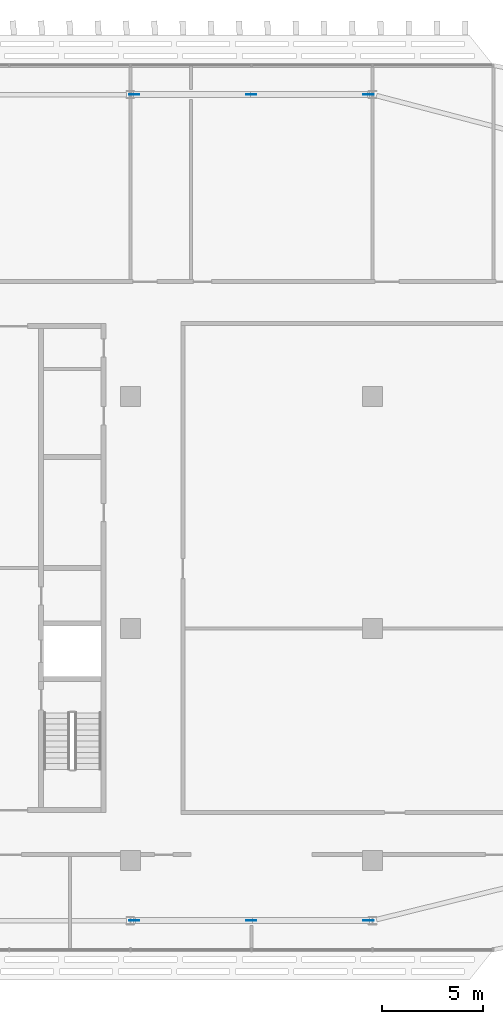
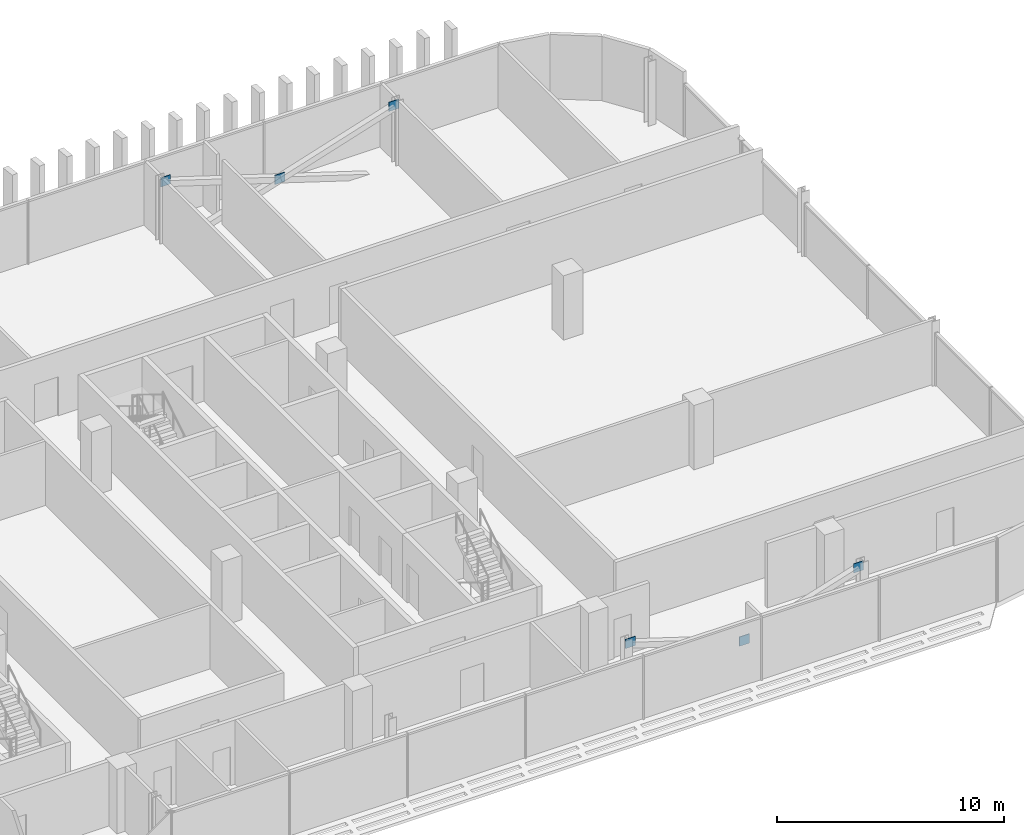
# One storey, part 25 of 32: 6 discrete accessories.
"""IFC4 building model written with IfcOpenShell, lengths in metres."""

from ifc_helpers import new_model, si_unit, direction, frame, origin, origin_2d, place, context, subcontext, project, spatial, rectangle, extrude, material, layer, layer_set, type_object, element, save


model = new_model("IFC4")

# Units and contexts
model_context = context("Model", 3, precision=1e-05, world=origin(), true_north=direction((0.0, 1.0)))
body_context = subcontext(model_context, "Body", "Model", "MODEL_VIEW")
ifc_project = project(units=[si_unit("LENGTHUNIT", "METRE"), si_unit("AREAUNIT", "SQUARE_METRE"), si_unit("VOLUMEUNIT", "CUBIC_METRE"), si_unit("PLANEANGLEUNIT", "RADIAN"), si_unit("MASSUNIT", "GRAM", prefix="KILO")], contexts=[model_context])

# Site, building, storey
site_placement = place(None, origin())
site = spatial("IfcSite", under=ifc_project, at=site_placement, CompositionType="ELEMENT")
building_placement = place(site_placement, origin())
building = spatial("IfcBuilding", under=site, at=building_placement, Name="Mahtab Terrace Research Tower", CompositionType="ELEMENT")
storey_placement = place(building_placement, frame((0.0, 0.0, 240.0)))
storey = spatial("IfcBuildingStorey", under=building, at=storey_placement, Name="L58", CompositionType="ELEMENT", Elevation=240.0)

# Discrete accessories
ifc_material = material(Name="Steel ASTM A992 Gr 50", Category="steel")
ifc_layer = layer(ifc_material, 0.030029296875)
ifc_layer_set = layer_set([ifc_layer], Name="Gusset plate 500x500x30")
discrete_accessory_type = type_object("IfcDiscreteAccessoryType", Name="Gusset plate 500x500x30", PredefinedType="USERDEFINED", material=ifc_layer_set)
for number, where, z_axis, x_axis, name in (
    (1, (30.199462890625, -14.472900390625, 2.906494140625), (0.0, 0.0, 1.0), (1.0, 0.0, 0.0), "Gusset plate"),
    (2, (30.199462890625, 26.472900390625, 2.906494140625), (0.0, 0.0, 1.0), (1.0, 0.0, 0.0), "Gusset plate"),
    (3, (36.0, -14.472900390625, 1.006591796875), (0.0, 0.0, 1.0), (1.0, 0.0, 0.0), "Gusset plate"),
    (4, (36.0, 26.472900390625, 1.006591796875), (0.0, 0.0, 1.0), (1.0, 0.0, 0.0), "Gusset plate"),
    (5, (41.800537109375, -14.472900390625, 2.906494140625), (0.0, 0.0, 1.0), (1.0, 0.0, 0.0), "Gusset plate"),
    (6, (41.800537109375, 26.472900390625, 2.906494140625), (0.0, 0.0, 1.0), (1.0, 0.0, 0.0), "Gusset plate"),
):
    element("IfcDiscreteAccessory", number, at=place(storey_placement, frame(where, z_axis=z_axis, x_axis=x_axis)), inside=storey, type_object=discrete_accessory_type, Name=name, ObjectType="GUSSET PLATE", PredefinedType="USERDEFINED", context=body_context, shape_type="SweptSolid", body=[
        extrude(rectangle(XDim=0.5, YDim=0.030029296875, at=origin_2d()), origin(), (0.0, 0.0, 1.0), 0.5),
    ])

save(model, "model.ifc")
